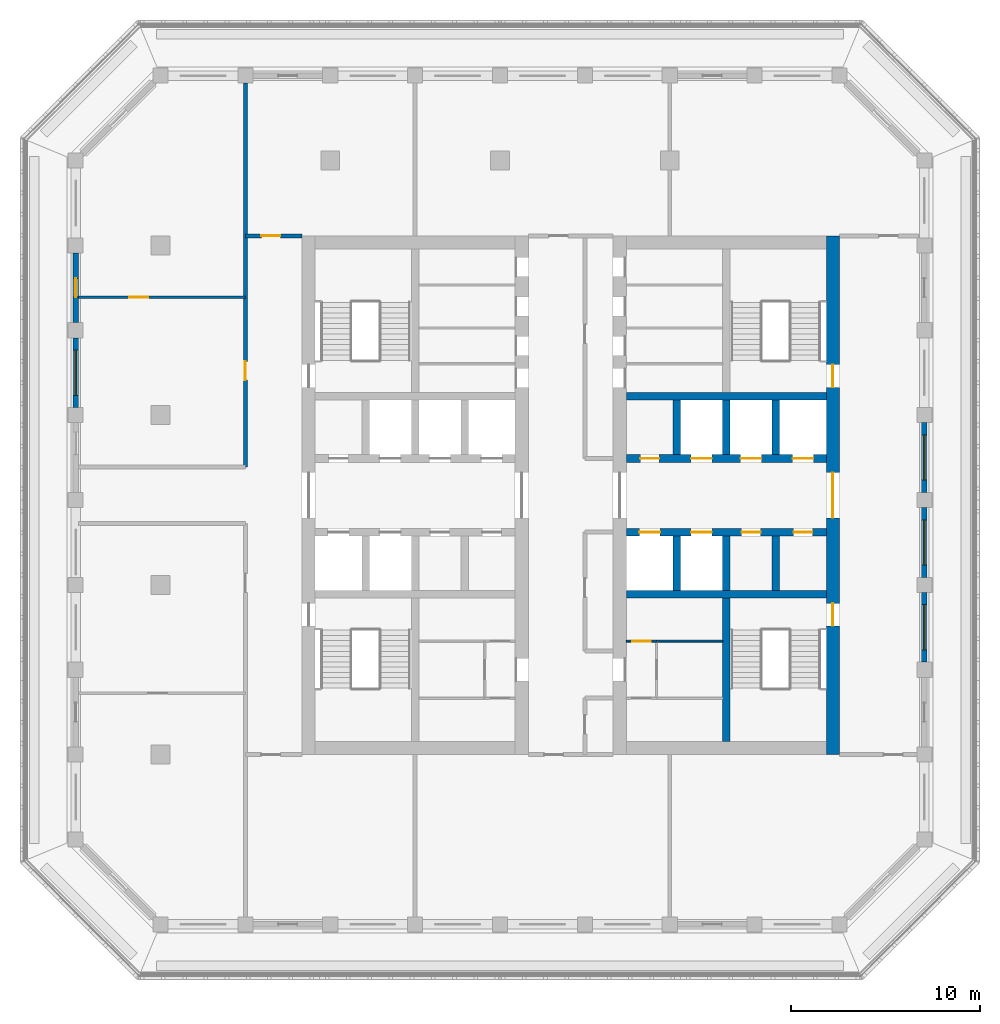
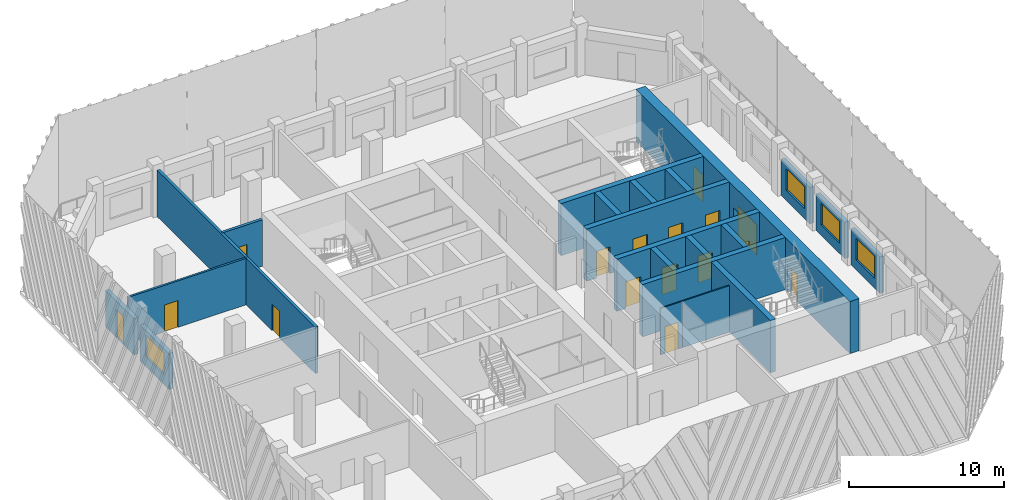
# One storey, part 5 of 15: 22 walls, 16 doors, 4 windows, 20 openings.
"""IFC4 building model written with IfcOpenShell, lengths in metres."""

from ifc_helpers import new_model, si_unit, direction, frame, frame_2d, origin, place, context, subcontext, project, spatial, rectangle, extrude, material, layer, layer_set, type_object, element, fill, save


model = new_model("IFC4")

# Units and contexts
model_context = context("Model", 3, precision=1e-05, world=origin(), true_north=direction((0.0, 1.0)))
body_context = subcontext(model_context, "Body", "Model", "MODEL_VIEW")
ifc_project = project(units=[si_unit("LENGTHUNIT", "METRE"), si_unit("AREAUNIT", "SQUARE_METRE"), si_unit("VOLUMEUNIT", "CUBIC_METRE"), si_unit("PLANEANGLEUNIT", "RADIAN"), si_unit("MASSUNIT", "GRAM", prefix="KILO")], contexts=[model_context])

# Site, building, storey
site_placement = place(None, origin())
site = spatial("IfcSite", under=ifc_project, at=site_placement, CompositionType="ELEMENT")
building_placement = place(site_placement, origin())
building = spatial("IfcBuilding", under=site, at=building_placement, Name="Corbel Stack Research Tower", CompositionType="ELEMENT")
storey_placement = place(building_placement, frame((0.0, 0.0, 274.5)))
storey = spatial("IfcBuildingStorey", under=building, at=storey_placement, Name="L62", CompositionType="ELEMENT", Elevation=274.5)

# Wall
ifc_material_1 = material(Name="Concrete C60/75", Category="concrete")
ifc_layer_1 = layer(ifc_material_1, 0.39990234375)
ifc_layer_set_1 = layer_set([ifc_layer_1], Name="Concrete C60/75")
wall_type_1 = type_object("IfcWallType", Name="CW-400-60", PredefinedType="SHEAR", material=ifc_layer_set_1)
wall_1_placement = place(storey_placement, frame((6.699951171875, -0.5, 0.0), z_axis=(0.0, 0.0, 1.0), x_axis=(1.0, 0.0, 0.0)))
element("IfcWall", 1, at=wall_1_placement, inside=storey, type_object=wall_type_1, Name="East core wall, south row back L62", PredefinedType="SHEAR", context=body_context, shape_type="SweptSolid", body=[
    extrude(rectangle(XDim=10.60009765625, YDim=0.39990234375, at=frame_2d((5.300048828125, 0.0))), origin(), (0.0, 0.0, 1.0), 4.10009765625),
])

# Wall, openings, doors
wall_2_placement = place(storey_placement, frame((6.699951171875, 2.800048828125, 0.0), z_axis=(0.0, 0.0, 1.0), x_axis=(1.0, 0.0, 0.0)))
wall_2 = element("IfcWall", 2, at=wall_2_placement, inside=storey, type_object=wall_type_1, Name="East core wall, lobby south L62", PredefinedType="SHEAR", context=body_context, shape_type="SweptSolid", body=[
    extrude(rectangle(XDim=10.60009765625, YDim=0.39990234375, at=frame_2d((5.300048828125, 0.0))), origin(), (0.0, 0.0, 1.0), 4.10009765625),
])
opening_1_placement = place(wall_2_placement, frame((0.6875, 0.0, 0.0)))
opening_1 = element("IfcOpeningElement", 3, at=opening_1_placement, cuts=wall_2, Name="Opening LD-FS2", PredefinedType="OPENING", context=body_context, shape_type="SweptSolid", body=[
    extrude(rectangle(XDim=1.10009765625, YDim=2.10009765625, at=frame_2d((0.550048828125, 1.050048828125))), frame((0.0, 0.2099609375, 0.0), z_axis=(0.0, -1.0, 0.0), x_axis=(1.0, 0.0, 0.0)), (0.0, 0.0, 1.0), 0.419921875),
])
opening_2_placement = place(wall_2_placement, frame((3.4375, 0.0, 0.0)))
opening_2 = element("IfcOpeningElement", 4, at=opening_2_placement, cuts=wall_2, Name="Opening LD-GL2", PredefinedType="OPENING", context=body_context, shape_type="SweptSolid", body=[
    extrude(rectangle(XDim=1.10009765625, YDim=2.10009765625, at=frame_2d((0.550048828125, 1.050048828125))), frame((0.0, 0.2099609375, 0.0), z_axis=(0.0, -1.0, 0.0), x_axis=(1.0, 0.0, 0.0)), (0.0, 0.0, 1.0), 0.419921875),
])
opening_3_placement = place(wall_2_placement, frame((6.112548828125, 0.0, 0.0)))
opening_3 = element("IfcOpeningElement", 5, at=opening_3_placement, cuts=wall_2, Name="Opening CR-E36-S3", PredefinedType="OPENING", context=body_context, shape_type="SweptSolid", body=[
    extrude(rectangle(XDim=1.0, YDim=2.10009765625, at=frame_2d((0.5, 1.050048828125))), frame((0.0, 0.2099609375, 0.0), z_axis=(0.0, -1.0, 0.0), x_axis=(1.0, 0.0, 0.0)), (0.0, 0.0, 1.0), 0.419921875),
])
opening_4_placement = place(wall_2_placement, frame((8.862548828125, 0.0, 0.0)))
opening_4 = element("IfcOpeningElement", 6, at=opening_4_placement, cuts=wall_2, Name="Opening CR-E36-S4", PredefinedType="OPENING", context=body_context, shape_type="SweptSolid", body=[
    extrude(rectangle(XDim=1.0, YDim=2.10009765625, at=frame_2d((0.5, 1.050048828125))), frame((0.0, 0.2099609375, 0.0), z_axis=(0.0, -1.0, 0.0), x_axis=(1.0, 0.0, 0.0)), (0.0, 0.0, 1.0), 0.419921875),
])
ifc_material_2 = material(Name="Stainless steel landing door", Category="steel")
door_type_1 = type_object("IfcDoorType", Name="Lift landing door 1100 x 2100", OperationType="DOUBLE_DOOR_SLIDING", PredefinedType="DOOR", material=ifc_material_2)
door_1_placement = place(opening_1_placement, origin())
door_1 = element("IfcDoor", 7, at=door_1_placement, inside=storey, type_object=door_type_1, Name="Landing door FS2", OperationType="DOUBLE_DOOR_SLIDING", OverallHeight=2.10009765625, OverallWidth=1.10009765625, PredefinedType="DOOR", context=body_context, shape_type="SweptSolid", body=[
    extrude(rectangle(XDim=1.10009765625, YDim=2.10009765625, at=frame_2d((0.550048828125, 1.050048828125))), frame((0.0, 0.02490234375, 0.0), z_axis=(0.0, -1.0, 0.0), x_axis=(1.0, 0.0, 0.0)), (0.0, 0.0, 1.0), 0.050048828125),
])
fill(opening_1, door_1)
door_2_placement = place(opening_2_placement, origin())
door_2 = element("IfcDoor", 8, at=door_2_placement, inside=storey, type_object=door_type_1, Name="Landing door GL2", OperationType="DOUBLE_DOOR_SLIDING", OverallHeight=2.10009765625, OverallWidth=1.10009765625, PredefinedType="DOOR", context=body_context, shape_type="SweptSolid", body=[
    extrude(rectangle(XDim=1.10009765625, YDim=2.10009765625, at=frame_2d((0.550048828125, 1.050048828125))), frame((0.0, 0.02490234375, 0.0), z_axis=(0.0, -1.0, 0.0), x_axis=(1.0, 0.0, 0.0)), (0.0, 0.0, 1.0), 0.050048828125),
])
fill(opening_2, door_2)
ifc_material_3 = material(Name="Painted steel door", Category="steel")
door_type_2 = type_object("IfcDoorType", Name="Service door 1000 x 2100 FD60 left hand", OperationType="SINGLE_SWING_LEFT", PredefinedType="DOOR", material=ifc_material_3)
door_3_placement = place(opening_3_placement, origin())
door_3 = element("IfcDoor", 9, at=door_3_placement, inside=storey, type_object=door_type_2, Name="Mechanical room door E core", OperationType="SINGLE_SWING_LEFT", OverallHeight=2.10009765625, OverallWidth=1.0, PredefinedType="DOOR", context=body_context, shape_type="SweptSolid", body=[
    extrude(rectangle(XDim=1.0, YDim=2.10009765625, at=frame_2d((0.5, 1.050048828125))), frame((0.0, 0.02490234375, 0.0), z_axis=(0.0, -1.0, 0.0), x_axis=(1.0, 0.0, 0.0)), (0.0, 0.0, 1.0), 0.050048828125),
])
fill(opening_3, door_3)
ifc_material_4 = material(Name="Painted steel door", Category="steel")
door_type_3 = type_object("IfcDoorType", Name="Service door 1000 x 2100 FD60 right hand", OperationType="SINGLE_SWING_RIGHT", PredefinedType="DOOR", material=ifc_material_4)
door_4_placement = place(opening_4_placement, origin())
door_4 = element("IfcDoor", 10, at=door_4_placement, inside=storey, type_object=door_type_3, Name="Telecom room door E core", OperationType="SINGLE_SWING_RIGHT", OverallHeight=2.10009765625, OverallWidth=1.0, PredefinedType="DOOR", context=body_context, shape_type="SweptSolid", body=[
    extrude(rectangle(XDim=1.0, YDim=2.10009765625, at=frame_2d((0.5, 1.050048828125))), frame((0.0, 0.02490234375, 0.0), z_axis=(0.0, -1.0, 0.0), x_axis=(1.0, 0.0, 0.0)), (0.0, 0.0, 1.0), 0.050048828125),
])
fill(opening_4, door_4)

wall_3_placement = place(storey_placement, frame((6.699951171875, 6.699951171875, 0.0), z_axis=(0.0, 0.0, 1.0), x_axis=(1.0, 0.0, 0.0)))
wall_3 = element("IfcWall", 11, at=wall_3_placement, inside=storey, type_object=wall_type_1, Name="East core wall, lobby north L62", PredefinedType="SHEAR", context=body_context, shape_type="SweptSolid", body=[
    extrude(rectangle(XDim=10.60009765625, YDim=0.39990234375, at=frame_2d((5.300048828125, 0.0))), origin(), (0.0, 0.0, 1.0), 4.10009765625),
])
opening_5_placement = place(wall_3_placement, frame((3.4375, 0.0, 0.0)))
opening_5 = element("IfcOpeningElement", 12, at=opening_5_placement, cuts=wall_3, Name="Opening LD-HR4", PredefinedType="OPENING", context=body_context, shape_type="SweptSolid", body=[
    extrude(rectangle(XDim=1.10009765625, YDim=2.10009765625, at=frame_2d((0.550048828125, 1.050048828125))), frame((0.0, 0.2099609375, 0.0), z_axis=(0.0, -1.0, 0.0), x_axis=(1.0, 0.0, 0.0)), (0.0, 0.0, 1.0), 0.419921875),
])
opening_6_placement = place(wall_3_placement, frame((6.0625, 0.0, 0.0)))
opening_6 = element("IfcOpeningElement", 13, at=opening_6_placement, cuts=wall_3, Name="Opening LD-HR5", PredefinedType="OPENING", context=body_context, shape_type="SweptSolid", body=[
    extrude(rectangle(XDim=1.10009765625, YDim=2.10009765625, at=frame_2d((0.550048828125, 1.050048828125))), frame((0.0, 0.2099609375, 0.0), z_axis=(0.0, -1.0, 0.0), x_axis=(1.0, 0.0, 0.0)), (0.0, 0.0, 1.0), 0.419921875),
])
opening_7_placement = place(wall_3_placement, frame((8.8125, 0.0, 0.0)))
opening_7 = element("IfcOpeningElement", 14, at=opening_7_placement, cuts=wall_3, Name="Opening LD-HR6", PredefinedType="OPENING", context=body_context, shape_type="SweptSolid", body=[
    extrude(rectangle(XDim=1.10009765625, YDim=2.10009765625, at=frame_2d((0.550048828125, 1.050048828125))), frame((0.0, 0.2099609375, 0.0), z_axis=(0.0, -1.0, 0.0), x_axis=(1.0, 0.0, 0.0)), (0.0, 0.0, 1.0), 0.419921875),
])
opening_8_placement = place(wall_3_placement, frame((0.737548828125, 0.0, 0.0)))
opening_8 = element("IfcOpeningElement", 15, at=opening_8_placement, cuts=wall_3, Name="Opening CR-E36-N1", PredefinedType="OPENING", context=body_context, shape_type="SweptSolid", body=[
    extrude(rectangle(XDim=1.0, YDim=2.10009765625, at=frame_2d((0.5, 1.050048828125))), frame((0.0, 0.2099609375, 0.0), z_axis=(0.0, -1.0, 0.0), x_axis=(1.0, 0.0, 0.0)), (0.0, 0.0, 1.0), 0.419921875),
])
door_5_placement = place(opening_5_placement, origin())
door_5 = element("IfcDoor", 16, at=door_5_placement, inside=storey, type_object=door_type_1, Name="Landing door HR4", OperationType="DOUBLE_DOOR_SLIDING", OverallHeight=2.10009765625, OverallWidth=1.10009765625, PredefinedType="DOOR", context=body_context, shape_type="SweptSolid", body=[
    extrude(rectangle(XDim=1.10009765625, YDim=2.10009765625, at=frame_2d((0.550048828125, 1.050048828125))), frame((0.0, 0.02490234375, 0.0), z_axis=(0.0, -1.0, 0.0), x_axis=(1.0, 0.0, 0.0)), (0.0, 0.0, 1.0), 0.050048828125),
])
fill(opening_5, door_5)
door_6_placement = place(opening_6_placement, origin())
door_6 = element("IfcDoor", 17, at=door_6_placement, inside=storey, type_object=door_type_1, Name="Landing door HR5", OperationType="DOUBLE_DOOR_SLIDING", OverallHeight=2.10009765625, OverallWidth=1.10009765625, PredefinedType="DOOR", context=body_context, shape_type="SweptSolid", body=[
    extrude(rectangle(XDim=1.10009765625, YDim=2.10009765625, at=frame_2d((0.550048828125, 1.050048828125))), frame((0.0, 0.02490234375, 0.0), z_axis=(0.0, -1.0, 0.0), x_axis=(1.0, 0.0, 0.0)), (0.0, 0.0, 1.0), 0.050048828125),
])
fill(opening_6, door_6)
door_7_placement = place(opening_7_placement, origin())
door_7 = element("IfcDoor", 18, at=door_7_placement, inside=storey, type_object=door_type_1, Name="Landing door HR6", OperationType="DOUBLE_DOOR_SLIDING", OverallHeight=2.10009765625, OverallWidth=1.10009765625, PredefinedType="DOOR", context=body_context, shape_type="SweptSolid", body=[
    extrude(rectangle(XDim=1.10009765625, YDim=2.10009765625, at=frame_2d((0.550048828125, 1.050048828125))), frame((0.0, 0.02490234375, 0.0), z_axis=(0.0, -1.0, 0.0), x_axis=(1.0, 0.0, 0.0)), (0.0, 0.0, 1.0), 0.050048828125),
])
fill(opening_7, door_7)
door_8_placement = place(opening_8_placement, origin())
door_8 = element("IfcDoor", 19, at=door_8_placement, inside=storey, type_object=door_type_2, Name="Copy and supply store door E core", OperationType="SINGLE_SWING_LEFT", OverallHeight=2.10009765625, OverallWidth=1.0, PredefinedType="DOOR", context=body_context, shape_type="SweptSolid", body=[
    extrude(rectangle(XDim=1.0, YDim=2.10009765625, at=frame_2d((0.5, 1.050048828125))), frame((0.0, 0.02490234375, 0.0), z_axis=(0.0, -1.0, 0.0), x_axis=(1.0, 0.0, 0.0)), (0.0, 0.0, 1.0), 0.050048828125),
])
fill(opening_8, door_8)

# Walls
wall_4_placement = place(storey_placement, frame((6.699951171875, 10.0, 0.0), z_axis=(0.0, 0.0, 1.0), x_axis=(1.0, 0.0, 0.0)))
element("IfcWall", 20, at=wall_4_placement, inside=storey, type_object=wall_type_1, Name="East core wall, north row back L62", PredefinedType="SHEAR", context=body_context, shape_type="SweptSolid", body=[
    extrude(rectangle(XDim=10.60009765625, YDim=0.39990234375, at=frame_2d((5.300048828125, 0.0))), origin(), (0.0, 0.0, 1.0), 4.10009765625),
])
for number, where, z_axis, x_axis, name in (
    (21, (9.375, -0.300048828125, 0.0), (0.0, 0.0, 1.0), (0.0, 1.0, 0.0), "East core wall, south shaft 1 L62"),
    (22, (9.375, 6.89990234375, 0.0), (0.0, 0.0, 1.0), (0.0, 1.0, 0.0), "East core wall, north shaft 1 L62"),
    (23, (12.0, -0.300048828125, 0.0), (0.0, 0.0, 1.0), (0.0, 1.0, 0.0), "East core wall, south shaft 2 L62"),
    (24, (12.0, 6.89990234375, 0.0), (0.0, 0.0, 1.0), (0.0, 1.0, 0.0), "East core wall, north shaft 2 L62"),
    (25, (14.625, -0.300048828125, 0.0), (0.0, 0.0, 1.0), (0.0, 1.0, 0.0), "East core wall, south shaft 3 L62"),
    (26, (14.625, 6.89990234375, 0.0), (0.0, 0.0, 1.0), (0.0, 1.0, 0.0), "East core wall, north shaft 3 L62"),
):
    element("IfcWall", number, at=place(storey_placement, frame(where, z_axis=z_axis, x_axis=x_axis)), inside=storey, type_object=wall_type_1, Name=name, PredefinedType="SHEAR", context=body_context, shape_type="SweptSolid", body=[
        extrude(rectangle(XDim=2.900146484375, YDim=0.39990234375, at=frame_2d((1.4501953125, 0.0))), origin(), (0.0, 0.0, 1.0), 4.10009765625),
    ])
wall_5_placement = place(storey_placement, frame((12.0, -8.300048828125, 0.0), z_axis=(0.0, 0.0, 1.0), x_axis=(0.0, 1.0, 0.0)))
element("IfcWall", 27, at=wall_5_placement, inside=storey, type_object=wall_type_1, Name="East core wall, south stair and WC L62", PredefinedType="SHEAR", context=body_context, shape_type="SweptSolid", body=[
    extrude(rectangle(XDim=7.60009765625, YDim=0.39990234375, at=frame_2d((3.800048828125, 0.0))), origin(), (0.0, 0.0, 1.0), 4.10009765625),
])

# Wall, openings, doors
ifc_material_5 = material(Name="Concrete C60/75", Category="concrete")
ifc_layer_2 = layer(ifc_material_5, 0.699951171875)
ifc_layer_set_2 = layer_set([ifc_layer_2], Name="Concrete C60/75")
wall_type_2 = type_object("IfcWallType", Name="CW-700-60", PredefinedType="SHEAR", material=ifc_layer_set_2)
wall_6_placement = place(storey_placement, frame((17.64990234375, -9.0, 0.0), z_axis=(0.0, 0.0, 1.0), x_axis=(0.0, 1.0, 0.0)))
wall_6 = element("IfcWall", 28, at=wall_6_placement, inside=storey, type_object=wall_type_2, Name="East core wall, east face L62", PredefinedType="SHEAR", context=body_context, shape_type="SweptSolid", body=[
    extrude(rectangle(XDim=27.5, YDim=0.699951171875, at=frame_2d((13.75, 0.0))), origin(), (0.0, 0.0, 1.0), 4.10009765625),
])
opening_9_placement = place(wall_6_placement, frame((12.550048828125, 0.0, 0.0)))
opening_9 = element("IfcOpeningElement", 29, at=opening_9_placement, cuts=wall_6, Name="Opening CD-E-E", PredefinedType="OPENING", context=body_context, shape_type="SweptSolid", body=[
    extrude(rectangle(XDim=2.39990234375, YDim=2.39990234375, at=frame_2d((1.199951171875, 1.199951171875))), frame((0.0, 0.35986328125, 0.0), z_axis=(0.0, -1.0, 0.0), x_axis=(1.0, 0.0, 0.0)), (0.0, 0.0, 1.0), 0.719970703125),
])
opening_10_placement = place(wall_6_placement, frame((6.824951171875, 0.0, 0.0)))
opening_10 = element("IfcOpeningElement", 30, at=opening_10_placement, cuts=wall_6, Name="Opening SD-ST-E1", PredefinedType="OPENING", context=body_context, shape_type="SweptSolid", body=[
    extrude(rectangle(XDim=1.199951171875, YDim=2.10009765625, at=frame_2d((0.60009765625, 1.050048828125))), frame((0.0, 0.35986328125, 0.0), z_axis=(0.0, -1.0, 0.0), x_axis=(1.0, 0.0, 0.0)), (0.0, 0.0, 1.0), 0.719970703125),
])
opening_11_placement = place(wall_6_placement, frame((19.47509765625, 0.0, 0.0)))
opening_11 = element("IfcOpeningElement", 31, at=opening_11_placement, cuts=wall_6, Name="Opening SD-ST-E2", PredefinedType="OPENING", context=body_context, shape_type="SweptSolid", body=[
    extrude(rectangle(XDim=1.199951171875, YDim=2.10009765625, at=frame_2d((0.60009765625, 1.050048828125))), frame((0.0, 0.35986328125, 0.0), z_axis=(0.0, -1.0, 0.0), x_axis=(1.0, 0.0, 0.0)), (0.0, 0.0, 1.0), 0.719970703125),
])
ifc_material_6 = material(Name="Painted steel fire door", Category="steel")
door_type_4 = type_object("IfcDoorType", Name="Lobby door pair 2400 x 2400 FD30S", OperationType="DOUBLE_DOOR_DOUBLE_SWING", PredefinedType="DOOR", material=ifc_material_6)
door_9_placement = place(opening_9_placement, origin())
door_9 = element("IfcDoor", 32, at=door_9_placement, inside=storey, type_object=door_type_4, Name="Lift lobby door E core E", OperationType="DOUBLE_DOOR_DOUBLE_SWING", OverallHeight=2.39990234375, OverallWidth=2.39990234375, PredefinedType="DOOR", context=body_context, shape_type="SweptSolid", body=[
    extrude(rectangle(XDim=2.39990234375, YDim=2.39990234375, at=frame_2d((1.199951171875, 1.199951171875))), frame((0.0, 0.02490234375, 0.0), z_axis=(0.0, -1.0, 0.0), x_axis=(1.0, 0.0, 0.0)), (0.0, 0.0, 1.0), 0.050048828125),
])
fill(opening_9, door_9)
ifc_material_7 = material(Name="Painted steel fire door", Category="steel")
door_type_5 = type_object("IfcDoorType", Name="Stair door 1200 x 2100 FD90 right hand", OperationType="SINGLE_SWING_RIGHT", PredefinedType="DOOR", material=ifc_material_7)
door_10_placement = place(opening_10_placement, frame((1.199951171875, 0.0, 0.0), z_axis=(0.0, 0.0, 1.0), x_axis=(-1.0, 0.0, 0.0)))
door_10 = element("IfcDoor", 33, at=door_10_placement, inside=storey, type_object=door_type_5, Name="Stair door ST-E1", OperationType="SINGLE_SWING_LEFT", OverallHeight=2.10009765625, OverallWidth=1.199951171875, PredefinedType="DOOR", context=body_context, shape_type="SweptSolid", body=[
    extrude(rectangle(XDim=1.199951171875, YDim=2.10009765625, at=frame_2d((0.60009765625, 1.050048828125))), frame((0.0, 0.02490234375, 0.0), z_axis=(0.0, -1.0, 0.0), x_axis=(1.0, 0.0, 0.0)), (0.0, 0.0, 1.0), 0.050048828125),
])
fill(opening_10, door_10)
door_11_placement = place(opening_11_placement, frame((1.199951171875, 0.0, 0.0), z_axis=(0.0, 0.0, 1.0), x_axis=(-1.0, 0.0, 0.0)))
door_11 = element("IfcDoor", 34, at=door_11_placement, inside=storey, type_object=door_type_5, Name="Stair door ST-E2", OperationType="SINGLE_SWING_LEFT", OverallHeight=2.10009765625, OverallWidth=1.199951171875, PredefinedType="DOOR", context=body_context, shape_type="SweptSolid", body=[
    extrude(rectangle(XDim=1.199951171875, YDim=2.10009765625, at=frame_2d((0.60009765625, 1.050048828125))), frame((0.0, 0.02490234375, 0.0), z_axis=(0.0, -1.0, 0.0), x_axis=(1.0, 0.0, 0.0)), (0.0, 0.0, 1.0), 0.050048828125),
])
fill(opening_11, door_11)

# Wall, opening, door
ifc_material_8 = material(Name="Gypsum board")
ifc_layer_3 = layer(ifc_material_8, 0.10009765625)
ifc_layer_set_3 = layer_set([ifc_layer_3], Name="Gypsum board")
wall_type_3 = type_object("IfcWallType", Name="Core partition 100", PredefinedType="PARTITIONING", material=ifc_layer_set_3)
wall_7_placement = place(storey_placement, frame((6.699951171875, -2.97998046875, 0.0), z_axis=(0.0, 0.0, 1.0), x_axis=(1.0, 0.0, 0.0)))
wall_7 = element("IfcWall", 35, at=wall_7_placement, inside=storey, type_object=wall_type_3, Name="Core partition E", PredefinedType="PARTITIONING", context=body_context, shape_type="SweptSolid", body=[
    extrude(rectangle(XDim=1.60009765625, YDim=0.10009765625, at=frame_2d((0.800048828125, 0.0))), origin(), (0.0, 0.0, 1.0), 3.64990234375),
])
opening_12_placement = place(wall_7_placement, frame((0.300048828125, 0.0, 0.0)))
opening_12 = element("IfcOpeningElement", 36, at=opening_12_placement, cuts=wall_7, Name="Opening CR-E36-W3-1000", PredefinedType="OPENING", context=body_context, shape_type="SweptSolid", body=[
    extrude(rectangle(XDim=1.0, YDim=2.10009765625, at=frame_2d((0.5, 1.050048828125))), frame((0.0, 0.06005859375, 0.0), z_axis=(0.0, -1.0, 0.0), x_axis=(1.0, 0.0, 0.0)), (0.0, 0.0, 1.0), 0.1201171875),
])
ifc_material_9 = material(Name="Painted timber door", Category="wood")
door_type_6 = type_object("IfcDoorType", Name="WC door 1000 x 2100 right hand", OperationType="SINGLE_SWING_RIGHT", PredefinedType="DOOR", material=ifc_material_9)
door_12_placement = place(opening_12_placement, origin())
door_12 = element("IfcDoor", 37, at=door_12_placement, inside=storey, type_object=door_type_6, Name="Women's WC door E core", OperationType="SINGLE_SWING_RIGHT", OverallHeight=2.10009765625, OverallWidth=1.0, PredefinedType="DOOR", context=body_context, shape_type="SweptSolid", body=[
    extrude(rectangle(XDim=1.0, YDim=2.10009765625, at=frame_2d((0.5, 1.050048828125))), frame((0.0, 0.02490234375, 0.0), z_axis=(0.0, -1.0, 0.0), x_axis=(1.0, 0.0, 0.0)), (0.0, 0.0, 1.0), 0.050048828125),
])
fill(opening_12, door_12)

# Wall
wall_8_placement = place(storey_placement, frame((8.300048828125, -2.97998046875, 0.0), z_axis=(0.0, 0.0, 1.0), x_axis=(1.0, 0.0, 0.0)))
element("IfcWall", 38, at=wall_8_placement, inside=storey, type_object=wall_type_3, Name="Core partition E", PredefinedType="PARTITIONING", context=body_context, shape_type="SweptSolid", body=[
    extrude(rectangle(XDim=3.5, YDim=0.10009765625, at=frame_2d((1.75, 0.0))), origin(), (0.0, 0.0, 1.0), 3.64990234375),
])

# Wall, opening, door
ifc_material_10 = material(Name="Fire-rated gypsum board partition on steel studs", Category="steel")
ifc_layer_4 = layer(ifc_material_10, 0.199951171875)
ifc_layer_set_4 = layer_set([ifc_layer_4], Name="Fire-rated gypsum board partition on steel studs")
wall_type_4 = type_object("IfcWallType", Name="Fire-rated partition 200 EI 60", PredefinedType="PARTITIONING", material=ifc_layer_set_4)
wall_9_placement = place(storey_placement, frame((-13.5, 6.25, 0.0), z_axis=(0.0, 0.0, 1.0), x_axis=(0.0, 1.0, 0.0)))
wall_9 = element("IfcWall", 39, at=wall_9_placement, inside=storey, type_object=wall_type_4, Name="Partition L62-002", PredefinedType="PARTITIONING", context=body_context, shape_type="SweptSolid", body=[
    extrude(rectangle(XDim=20.35009765625, YDim=0.199951171875, at=frame_2d((10.175048828125, 0.0))), origin(), (0.0, 0.0, 1.0), 3.64990234375),
])
opening_13_placement = place(wall_9_placement, frame((4.60009765625, 0.0, 0.0)))
opening_13 = element("IfcOpeningElement", 40, at=opening_13_placement, cuts=wall_9, Name="Opening B8V1-002", PredefinedType="OPENING", context=body_context, shape_type="SweptSolid", body=[
    extrude(rectangle(XDim=1.0, YDim=2.10009765625, at=frame_2d((0.5, 1.050048828125))), frame((0.0, 0.10986328125, 0.0), z_axis=(0.0, -1.0, 0.0), x_axis=(1.0, 0.0, 0.0)), (0.0, 0.0, 1.0), 0.219970703125),
])
ifc_material_11 = material(Name="Painted steel fire door", Category="steel")
door_type_7 = type_object("IfcDoorType", Name="Fire door FD30S 1000 x 2100", OperationType="NOTDEFINED", PredefinedType="DOOR", material=ifc_material_11)
door_13_placement = place(opening_13_placement, origin())
door_13 = element("IfcDoor", 41, at=door_13_placement, inside=storey, type_object=door_type_7, Name="Door B8V1-002", OperationType="SINGLE_SWING_LEFT", OverallHeight=2.10009765625, OverallWidth=1.0, PredefinedType="DOOR", context=body_context, shape_type="SweptSolid", body=[
    extrude(rectangle(XDim=1.0, YDim=2.10009765625, at=frame_2d((0.5, 1.050048828125))), frame((0.0, 0.02490234375, 0.0), z_axis=(0.0, -1.0, 0.0), x_axis=(1.0, 0.0, 0.0)), (0.0, 0.0, 1.0), 0.050048828125),
])
fill(opening_13, door_13)

wall_10_placement = place(storey_placement, frame((-13.5, 18.5, 0.0), z_axis=(0.0, 0.0, 1.0), x_axis=(1.0, 0.0, 0.0)))
wall_10 = element("IfcWall", 42, at=wall_10_placement, inside=storey, type_object=wall_type_4, Name="Partition L62-022", PredefinedType="PARTITIONING", context=body_context, shape_type="SweptSolid", body=[
    extrude(rectangle(XDim=3.0, YDim=0.199951171875, at=frame_2d((1.5, 0.0))), origin(), (0.0, 0.0, 1.0), 3.64990234375),
])
opening_14_placement = place(wall_10_placement, frame((0.85009765625, 0.0, 0.0)))
opening_14 = element("IfcOpeningElement", 43, at=opening_14_placement, cuts=wall_10, Name="Opening B8V1-011", PredefinedType="OPENING", context=body_context, shape_type="SweptSolid", body=[
    extrude(rectangle(XDim=1.0, YDim=2.10009765625, at=frame_2d((0.5, 1.050048828125))), frame((0.0, 0.10986328125, 0.0), z_axis=(0.0, -1.0, 0.0), x_axis=(1.0, 0.0, 0.0)), (0.0, 0.0, 1.0), 0.219970703125),
])
door_14_placement = place(opening_14_placement, origin())
door_14 = element("IfcDoor", 44, at=door_14_placement, inside=storey, type_object=door_type_7, Name="Door B8V1-011", OperationType="SINGLE_SWING_LEFT", OverallHeight=2.10009765625, OverallWidth=1.0, PredefinedType="DOOR", context=body_context, shape_type="SweptSolid", body=[
    extrude(rectangle(XDim=1.0, YDim=2.10009765625, at=frame_2d((0.5, 1.050048828125))), frame((0.0, 0.02490234375, 0.0), z_axis=(0.0, -1.0, 0.0), x_axis=(1.0, 0.0, 0.0)), (0.0, 0.0, 1.0), 0.050048828125),
])
fill(opening_14, door_14)

ifc_material_12 = material(Name="Gypsum board partition on steel studs", Category="steel")
ifc_layer_5 = layer(ifc_material_12, 0.14990234375)
ifc_layer_set_5 = layer_set([ifc_layer_5], Name="Gypsum board partition on steel studs")
wall_type_5 = type_object("IfcWallType", Name="Partition 150", PredefinedType="PARTITIONING", material=ifc_layer_set_5)
wall_11_placement = place(storey_placement, frame((-22.35009765625, 15.25, 0.0), z_axis=(0.0, 0.0, 1.0), x_axis=(1.0, 0.0, 0.0)))
wall_11 = element("IfcWall", 45, at=wall_11_placement, inside=storey, type_object=wall_type_5, Name="Partition L62-021", PredefinedType="PARTITIONING", context=body_context, shape_type="SweptSolid", body=[
    extrude(rectangle(XDim=8.85009765625, YDim=0.14990234375, at=frame_2d((4.425048828125, 0.0))), origin(), (0.0, 0.0, 1.0), 3.64990234375),
])
opening_15_placement = place(wall_11_placement, frame((2.699951171875, 0.0, 0.0)))
opening_15 = element("IfcOpeningElement", 46, at=opening_15_placement, cuts=wall_11, Name="Opening B8V1-010", PredefinedType="OPENING", context=body_context, shape_type="SweptSolid", body=[
    extrude(rectangle(XDim=1.0, YDim=2.10009765625, at=frame_2d((0.5, 1.050048828125))), frame((0.0, 0.0849609375, 0.0), z_axis=(0.0, -1.0, 0.0), x_axis=(1.0, 0.0, 0.0)), (0.0, 0.0, 1.0), 0.169921875),
])
ifc_material_13 = material(Name="Painted timber door", Category="wood")
door_type_8 = type_object("IfcDoorType", Name="Single door 1000 x 2100", OperationType="NOTDEFINED", PredefinedType="DOOR", material=ifc_material_13)
door_15_placement = place(opening_15_placement, origin())
door_15 = element("IfcDoor", 47, at=door_15_placement, inside=storey, type_object=door_type_8, Name="Door B8V1-010", OperationType="SINGLE_SWING_LEFT", OverallHeight=2.10009765625, OverallWidth=1.0, PredefinedType="DOOR", context=body_context, shape_type="SweptSolid", body=[
    extrude(rectangle(XDim=1.0, YDim=2.10009765625, at=frame_2d((0.5, 1.050048828125))), frame((0.0, 0.02490234375, 0.0), z_axis=(0.0, -1.0, 0.0), x_axis=(1.0, 0.0, 0.0)), (0.0, 0.0, 1.0), 0.050048828125),
])
fill(opening_15, door_15)

# Wall, opening, window
ifc_material_14 = material(Name="Concrete C45/55", Category="concrete")
ifc_layer_6 = layer(ifc_material_14, 0.300048828125)
ifc_layer_set_6 = layer_set([ifc_layer_6], Name="Concrete C45/55")
wall_type_6 = type_object("IfcWallType", Name="Terracotta-faced concrete wall 300", PredefinedType="SOLIDWALL", material=ifc_layer_set_6)
wall_12_placement = place(storey_placement, frame((22.5, -0.39990234375, 0.0), z_axis=(0.0, 0.0, 1.0), x_axis=(0.0, -1.0, 0.0)))
wall_12 = element("IfcWall", 48, at=wall_12_placement, inside=storey, type_object=wall_type_6, Name="Facade wall L62 E03", PredefinedType="SOLIDWALL", context=body_context, shape_type="SweptSolid", body=[
    extrude(rectangle(XDim=3.7001953125, YDim=0.300048828125, at=frame_2d((1.85009765625, 0.0))), origin(), (0.0, 0.0, 1.0), 2.85009765625),
])
opening_16_placement = place(wall_12_placement, frame((0.64990234375, 0.0, 0.800048828125)))
opening_16 = element("IfcOpeningElement", 49, at=opening_16_placement, cuts=wall_12, Name="Opening W1", PredefinedType="OPENING", context=body_context, shape_type="SweptSolid", body=[
    extrude(rectangle(XDim=2.39990234375, YDim=1.699951171875, at=frame_2d((1.199951171875, 0.85009765625))), frame((0.0, 0.159912109375, 0.0), z_axis=(0.0, -1.0, 0.0), x_axis=(1.0, 0.0, 0.0)), (0.0, 0.0, 1.0), 0.320068359375),
])
ifc_material_15 = material(Name="Aluminium frame, clear double glazing", Category="aluminium")
window_type = type_object("IfcWindowType", Name="Window W1 2400 x 1700", PartitioningType="SINGLE_PANEL", PredefinedType="WINDOW", material=ifc_material_15)
window_1_placement = place(opening_16_placement, origin())
window_1 = element("IfcWindow", 50, at=window_1_placement, inside=storey, type_object=window_type, Name="Window W1 L62 E03", OverallHeight=1.699951171875, OverallWidth=2.39990234375, PartitioningType="SINGLE_PANEL", PredefinedType="WINDOW", context=body_context, shape_type="SweptSolid", body=[
    extrude(rectangle(XDim=2.39990234375, YDim=1.699951171875, at=frame_2d((1.199951171875, 0.85009765625))), frame((0.0, 0.030029296875, 0.0), z_axis=(0.0, -1.0, 0.0), x_axis=(1.0, 0.0, 0.0)), (0.0, 0.0, 1.0), 0.06005859375),
])
fill(opening_16, window_1)

wall_13_placement = place(storey_placement, frame((22.5, 4.10009765625, 0.0), z_axis=(0.0, 0.0, 1.0), x_axis=(0.0, -1.0, 0.0)))
wall_13 = element("IfcWall", 51, at=wall_13_placement, inside=storey, type_object=wall_type_6, Name="Facade wall L62 E04", PredefinedType="SOLIDWALL", context=body_context, shape_type="SweptSolid", body=[
    extrude(rectangle(XDim=3.7001953125, YDim=0.300048828125, at=frame_2d((1.85009765625, 0.0))), origin(), (0.0, 0.0, 1.0), 2.85009765625),
])
opening_17_placement = place(wall_13_placement, frame((0.64990234375, 0.0, 0.800048828125)))
opening_17 = element("IfcOpeningElement", 52, at=opening_17_placement, cuts=wall_13, Name="Opening W1", PredefinedType="OPENING", context=body_context, shape_type="SweptSolid", body=[
    extrude(rectangle(XDim=2.39990234375, YDim=1.699951171875, at=frame_2d((1.199951171875, 0.85009765625))), frame((0.0, 0.159912109375, 0.0), z_axis=(0.0, -1.0, 0.0), x_axis=(1.0, 0.0, 0.0)), (0.0, 0.0, 1.0), 0.320068359375),
])
window_2_placement = place(opening_17_placement, origin())
window_2 = element("IfcWindow", 53, at=window_2_placement, inside=storey, type_object=window_type, Name="Window W1 L62 E04", OverallHeight=1.699951171875, OverallWidth=2.39990234375, PartitioningType="SINGLE_PANEL", PredefinedType="WINDOW", context=body_context, shape_type="SweptSolid", body=[
    extrude(rectangle(XDim=2.39990234375, YDim=1.699951171875, at=frame_2d((1.199951171875, 0.85009765625))), frame((0.0, 0.030029296875, 0.0), z_axis=(0.0, -1.0, 0.0), x_axis=(1.0, 0.0, 0.0)), (0.0, 0.0, 1.0), 0.06005859375),
])
fill(opening_17, window_2)

wall_14_placement = place(storey_placement, frame((22.5, 8.60009765625, 0.0), z_axis=(0.0, 0.0, 1.0), x_axis=(0.0, -1.0, 0.0)))
wall_14 = element("IfcWall", 54, at=wall_14_placement, inside=storey, type_object=wall_type_6, Name="Facade wall L62 E05", PredefinedType="SOLIDWALL", context=body_context, shape_type="SweptSolid", body=[
    extrude(rectangle(XDim=3.7001953125, YDim=0.300048828125, at=frame_2d((1.85009765625, 0.0))), origin(), (0.0, 0.0, 1.0), 2.85009765625),
])
opening_18_placement = place(wall_14_placement, frame((0.64990234375, 0.0, 0.800048828125)))
opening_18 = element("IfcOpeningElement", 55, at=opening_18_placement, cuts=wall_14, Name="Opening W1", PredefinedType="OPENING", context=body_context, shape_type="SweptSolid", body=[
    extrude(rectangle(XDim=2.39990234375, YDim=1.699951171875, at=frame_2d((1.199951171875, 0.85009765625))), frame((0.0, 0.159912109375, 0.0), z_axis=(0.0, -1.0, 0.0), x_axis=(1.0, 0.0, 0.0)), (0.0, 0.0, 1.0), 0.320068359375),
])
window_3_placement = place(opening_18_placement, origin())
window_3 = element("IfcWindow", 56, at=window_3_placement, inside=storey, type_object=window_type, Name="Window W1 L62 E05", OverallHeight=1.699951171875, OverallWidth=2.39990234375, PartitioningType="SINGLE_PANEL", PredefinedType="WINDOW", context=body_context, shape_type="SweptSolid", body=[
    extrude(rectangle(XDim=2.39990234375, YDim=1.699951171875, at=frame_2d((1.199951171875, 0.85009765625))), frame((0.0, 0.030029296875, 0.0), z_axis=(0.0, -1.0, 0.0), x_axis=(1.0, 0.0, 0.0)), (0.0, 0.0, 1.0), 0.06005859375),
])
fill(opening_18, window_3)

# Wall, opening, door
wall_15_placement = place(storey_placement, frame((-22.5, 13.89990234375, 0.0), z_axis=(0.0, 0.0, 1.0), x_axis=(0.0, 1.0, 0.0)))
wall_15 = element("IfcWall", 57, at=wall_15_placement, inside=storey, type_object=wall_type_6, Name="Facade wall L62 W02", PredefinedType="SOLIDWALL", context=body_context, shape_type="SweptSolid", body=[
    extrude(rectangle(XDim=3.7001953125, YDim=0.300048828125, at=frame_2d((1.85009765625, 0.0))), origin(), (0.0, 0.0, 1.0), 2.85009765625),
])
opening_19_placement = place(wall_15_placement, frame((1.35009765625, 0.0, 0.0)))
opening_19 = element("IfcOpeningElement", 58, at=opening_19_placement, cuts=wall_15, Name="Opening L62-B10", PredefinedType="OPENING", context=body_context, shape_type="SweptSolid", body=[
    extrude(rectangle(XDim=1.0, YDim=2.199951171875, at=frame_2d((0.5, 1.10009765625))), frame((0.0, 0.159912109375, 0.0), z_axis=(0.0, -1.0, 0.0), x_axis=(1.0, 0.0, 0.0)), (0.0, 0.0, 1.0), 0.320068359375),
])
ifc_material_16 = material(Name="Aluminium frame, clear double glazing", Category="aluminium")
door_type_9 = type_object("IfcDoorType", Name="Balcony door BD1 1000 x 2200", OperationType="NOTDEFINED", PredefinedType="DOOR", material=ifc_material_16)
door_16_placement = place(opening_19_placement, origin())
door_16 = element("IfcDoor", 59, at=door_16_placement, inside=storey, type_object=door_type_9, Name="Balcony door L62-B10", OperationType="SINGLE_SWING_RIGHT", OverallHeight=2.199951171875, OverallWidth=1.0, PredefinedType="DOOR", context=body_context, shape_type="SweptSolid", body=[
    extrude(rectangle(XDim=1.0, YDim=2.199951171875, at=frame_2d((0.5, 1.10009765625))), frame((0.0, 0.02490234375, 0.0), z_axis=(0.0, -1.0, 0.0), x_axis=(1.0, 0.0, 0.0)), (0.0, 0.0, 1.0), 0.050048828125),
])
fill(opening_19, door_16)

# Wall, opening, window
wall_16_placement = place(storey_placement, frame((-22.5, 9.39990234375, 0.0), z_axis=(0.0, 0.0, 1.0), x_axis=(0.0, 1.0, 0.0)))
wall_16 = element("IfcWall", 60, at=wall_16_placement, inside=storey, type_object=wall_type_6, Name="Facade wall L62 W03", PredefinedType="SOLIDWALL", context=body_context, shape_type="SweptSolid", body=[
    extrude(rectangle(XDim=3.7001953125, YDim=0.300048828125, at=frame_2d((1.85009765625, 0.0))), origin(), (0.0, 0.0, 1.0), 2.85009765625),
])
opening_20_placement = place(wall_16_placement, frame((0.64990234375, 0.0, 0.800048828125)))
opening_20 = element("IfcOpeningElement", 61, at=opening_20_placement, cuts=wall_16, Name="Opening W1", PredefinedType="OPENING", context=body_context, shape_type="SweptSolid", body=[
    extrude(rectangle(XDim=2.39990234375, YDim=1.699951171875, at=frame_2d((1.199951171875, 0.85009765625))), frame((0.0, 0.159912109375, 0.0), z_axis=(0.0, -1.0, 0.0), x_axis=(1.0, 0.0, 0.0)), (0.0, 0.0, 1.0), 0.320068359375),
])
window_4_placement = place(opening_20_placement, origin())
window_4 = element("IfcWindow", 62, at=window_4_placement, inside=storey, type_object=window_type, Name="Window W1 L62 W03", OverallHeight=1.699951171875, OverallWidth=2.39990234375, PartitioningType="SINGLE_PANEL", PredefinedType="WINDOW", context=body_context, shape_type="SweptSolid", body=[
    extrude(rectangle(XDim=2.39990234375, YDim=1.699951171875, at=frame_2d((1.199951171875, 0.85009765625))), frame((0.0, 0.030029296875, 0.0), z_axis=(0.0, -1.0, 0.0), x_axis=(1.0, 0.0, 0.0)), (0.0, 0.0, 1.0), 0.06005859375),
])
fill(opening_20, window_4)

save(model, "model.ifc")
